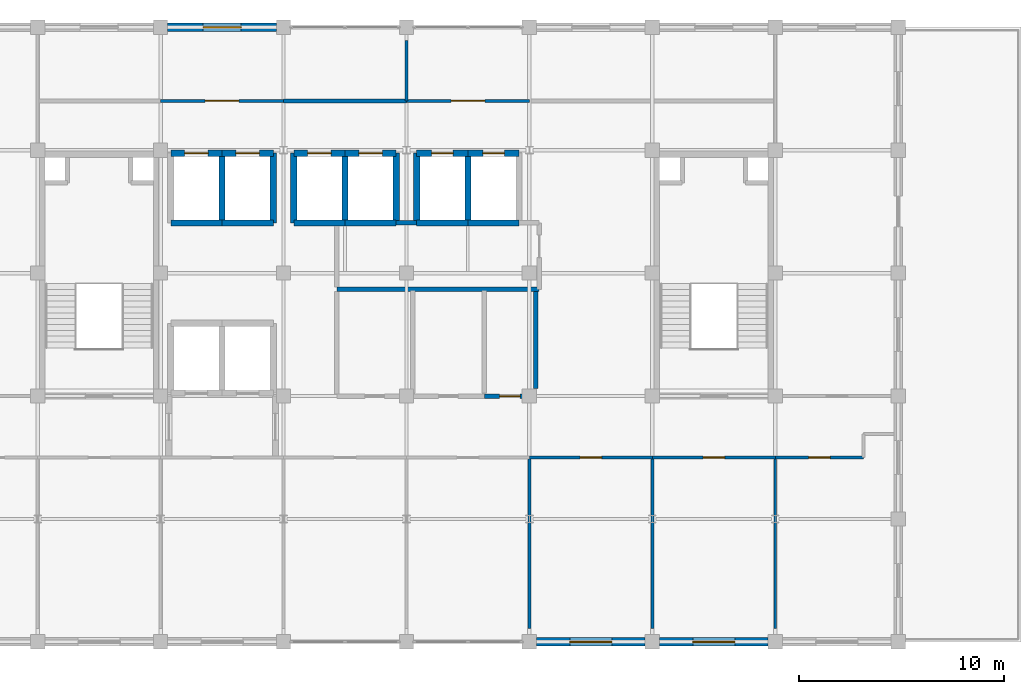
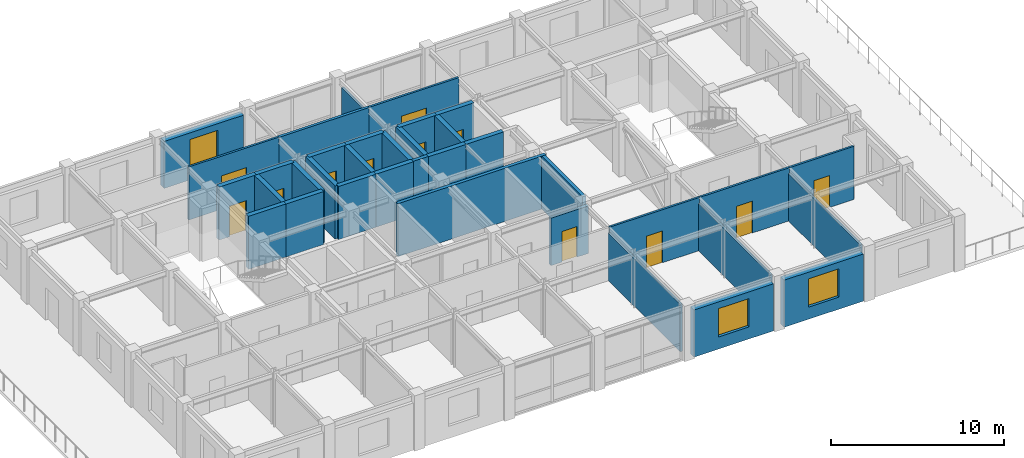
# One storey, part 13 of 15: 36 walls, 12 doors, 3 windows, 15 openings.
"""IFC4 building model written with IfcOpenShell, lengths in metres."""

from ifc_helpers import new_model, si_unit, direction, frame, frame_2d, origin, place, context, subcontext, project, spatial, rectangle, extrude, material, layer, layer_set, type_object, element, fill, save


model = new_model("IFC4")

# Units and contexts
model_context = context("Model", 3, precision=1e-05, world=origin(), true_north=direction((0.0, 1.0)))
body_context = subcontext(model_context, "Body", "Model", "MODEL_VIEW")
ifc_project = project(units=[si_unit("LENGTHUNIT", "METRE"), si_unit("AREAUNIT", "SQUARE_METRE"), si_unit("VOLUMEUNIT", "CUBIC_METRE"), si_unit("PLANEANGLEUNIT", "RADIAN"), si_unit("MASSUNIT", "GRAM", prefix="KILO")], contexts=[model_context])

# Site, building, storey
site_placement = place(None, origin())
site = spatial("IfcSite", under=ifc_project, at=site_placement, CompositionType="ELEMENT")
building_placement = place(site_placement, origin())
building = spatial("IfcBuilding", under=site, at=building_placement, Name="Zlatovratsky Civic Hall", CompositionType="ELEMENT")
storey_placement = place(building_placement, frame((0.0, 0.0, 36.60009765625)))
storey = spatial("IfcBuildingStorey", under=building, at=storey_placement, Name="L09", CompositionType="ELEMENT", Elevation=36.60009765625)

# Wall
ifc_material_1 = material(Name="Acoustic ceramic blockwork", Category="masonry")
ifc_layer_1 = layer(ifc_material_1, 0.179931640625)
ifc_layer_set_1 = layer_set([ifc_layer_1], Name="Acoustic ceramic blockwork")
wall_type_1 = type_object("IfcWallType", Name="Wall_AcousticChamberPartition_180", PredefinedType="PARTITIONING", material=ifc_layer_set_1)
wall_1_placement = place(storey_placement, frame((78.0, 98.39990234375, 0.0), z_axis=(0.0, 0.0, 1.0), x_axis=(1.0, 0.0, 0.0)))
element("IfcWall", 1, at=wall_1_placement, inside=storey, type_object=wall_type_1, Name="WL-6476", PredefinedType="PARTITIONING", context=body_context, shape_type="SweptSolid", body=[
    extrude(rectangle(XDim=6.0, YDim=0.179931640625, at=frame_2d((3.0, 0.0))), origin(), (0.0, 0.0, 1.0), 3.739990234375),
])

# Wall, opening, door
ifc_material_2 = material(Name="Fire-rated gypsum board framing", Category="gypsum")
ifc_layer_2 = layer(ifc_material_2, 0.139892578125)
ifc_layer_set_2 = layer_set([ifc_layer_2], Name="Fire-rated gypsum board framing")
wall_type_2 = type_object("IfcWallType", Name="Wall_OfficePartition_140", PredefinedType="PARTITIONING", material=ifc_layer_set_2)
wall_2_placement = place(storey_placement, frame((90.0, 81.0, 0.0), z_axis=(0.0, 0.0, 1.0), x_axis=(1.0, 0.0, 0.0)))
wall_2 = element("IfcWall", 2, at=wall_2_placement, inside=storey, type_object=wall_type_2, Name="WL-6451", PredefinedType="PARTITIONING", context=body_context, shape_type="SweptSolid", body=[
    extrude(rectangle(XDim=6.0, YDim=0.139892578125, at=frame_2d((3.0, 0.0))), origin(), (0.0, 0.0, 1.0), 3.739990234375),
])
opening_1_placement = place(wall_2_placement, frame((2.47509765625, 0.0, 0.0)))
opening_1 = element("IfcOpeningElement", 3, at=opening_1_placement, cuts=wall_2, Name="Opening D-24", PredefinedType="OPENING", context=body_context, shape_type="SweptSolid", body=[
    extrude(rectangle(XDim=1.050048828125, YDim=2.25, at=frame_2d((0.52490234375, 1.125))), frame((0.0, 0.0849609375, 0.0), z_axis=(0.0, -1.0, 0.0), x_axis=(1.0, 0.0, 0.0)), (0.0, 0.0, 1.0), 0.169677734375),
])
ifc_material_3 = material(Name="Solid oak joinery in steel frame", Category="steel")
door_type_1 = type_object("IfcDoorType", Name="Door_DirectorateOffice_1050x2250", OperationType="NOTDEFINED", PredefinedType="DOOR", material=ifc_material_3)
door_1_placement = place(opening_1_placement, origin())
door_1 = element("IfcDoor", 4, at=door_1_placement, inside=storey, type_object=door_type_1, Name="DR-5425", OperationType="SINGLE_SWING_RIGHT", OverallHeight=2.25, OverallWidth=1.050048828125, PredefinedType="DOOR", context=body_context, shape_type="SweptSolid", body=[
    extrude(rectangle(XDim=1.050048828125, YDim=2.25, at=frame_2d((0.52490234375, 1.125))), frame((0.0, 0.02490234375, 0.0), z_axis=(0.0, -1.0, 0.0), x_axis=(1.0, 0.0, 0.0)), (0.0, 0.0, 1.0), 0.050048828125),
])
fill(opening_1, door_1)

wall_3_placement = place(storey_placement, frame((96.0, 81.0, 0.0), z_axis=(0.0, 0.0, 1.0), x_axis=(1.0, 0.0, 0.0)))
wall_3 = element("IfcWall", 5, at=wall_3_placement, inside=storey, type_object=wall_type_2, Name="WL-6452", PredefinedType="PARTITIONING", context=body_context, shape_type="SweptSolid", body=[
    extrude(rectangle(XDim=6.0, YDim=0.139892578125, at=frame_2d((3.0, 0.0))), origin(), (0.0, 0.0, 1.0), 3.739990234375),
])
opening_2_placement = place(wall_3_placement, frame((2.47509765625, 0.0, 0.0)))
opening_2 = element("IfcOpeningElement", 6, at=opening_2_placement, cuts=wall_3, Name="Opening D-24", PredefinedType="OPENING", context=body_context, shape_type="SweptSolid", body=[
    extrude(rectangle(XDim=1.050048828125, YDim=2.25, at=frame_2d((0.52490234375, 1.125))), frame((0.0, 0.0849609375, 0.0), z_axis=(0.0, -1.0, 0.0), x_axis=(1.0, 0.0, 0.0)), (0.0, 0.0, 1.0), 0.169677734375),
])
door_2_placement = place(opening_2_placement, origin())
door_2 = element("IfcDoor", 7, at=door_2_placement, inside=storey, type_object=door_type_1, Name="DR-5426", OperationType="SINGLE_SWING_RIGHT", OverallHeight=2.25, OverallWidth=1.050048828125, PredefinedType="DOOR", context=body_context, shape_type="SweptSolid", body=[
    extrude(rectangle(XDim=1.050048828125, YDim=2.25, at=frame_2d((0.52490234375, 1.125))), frame((0.0, 0.02490234375, 0.0), z_axis=(0.0, -1.0, 0.0), x_axis=(1.0, 0.0, 0.0)), (0.0, 0.0, 1.0), 0.050048828125),
])
fill(opening_2, door_2)

wall_4_placement = place(storey_placement, frame((102.0, 81.0, 0.0), z_axis=(0.0, 0.0, 1.0), x_axis=(1.0, 0.0, 0.0)))
wall_4 = element("IfcWall", 8, at=wall_4_placement, inside=storey, type_object=wall_type_2, Name="WL-6453", PredefinedType="PARTITIONING", context=body_context, shape_type="SweptSolid", body=[
    extrude(rectangle(XDim=4.300048828125, YDim=0.139892578125, at=frame_2d((2.14990234375, 0.0))), origin(), (0.0, 0.0, 1.0), 3.739990234375),
])
opening_3_placement = place(wall_4_placement, frame((1.625, 0.0, 0.0)))
opening_3 = element("IfcOpeningElement", 9, at=opening_3_placement, cuts=wall_4, Name="Opening D-24", PredefinedType="OPENING", context=body_context, shape_type="SweptSolid", body=[
    extrude(rectangle(XDim=1.050048828125, YDim=2.25, at=frame_2d((0.52490234375, 1.125))), frame((0.0, 0.0849609375, 0.0), z_axis=(0.0, -1.0, 0.0), x_axis=(1.0, 0.0, 0.0)), (0.0, 0.0, 1.0), 0.169677734375),
])
door_3_placement = place(opening_3_placement, origin())
door_3 = element("IfcDoor", 10, at=door_3_placement, inside=storey, type_object=door_type_1, Name="DR-5427", OperationType="SINGLE_SWING_RIGHT", OverallHeight=2.25, OverallWidth=1.050048828125, PredefinedType="DOOR", context=body_context, shape_type="SweptSolid", body=[
    extrude(rectangle(XDim=1.050048828125, YDim=2.25, at=frame_2d((0.52490234375, 1.125))), frame((0.0, 0.02490234375, 0.0), z_axis=(0.0, -1.0, 0.0), x_axis=(1.0, 0.0, 0.0)), (0.0, 0.0, 1.0), 0.050048828125),
])
fill(opening_3, door_3)

wall_5_placement = place(storey_placement, frame((72.0, 98.39990234375, 0.0), z_axis=(0.0, 0.0, 1.0), x_axis=(1.0, 0.0, 0.0)))
wall_5 = element("IfcWall", 11, at=wall_5_placement, inside=storey, type_object=wall_type_2, Name="WL-6456", PredefinedType="PARTITIONING", context=body_context, shape_type="SweptSolid", body=[
    extrude(rectangle(XDim=6.0, YDim=0.139892578125, at=frame_2d((3.0, 0.0))), origin(), (0.0, 0.0, 1.0), 3.739990234375),
])
opening_4_placement = place(wall_5_placement, frame((2.175048828125, 0.0, 0.0)))
opening_4 = element("IfcOpeningElement", 12, at=opening_4_placement, cuts=wall_5, Name="Opening D-25", PredefinedType="OPENING", context=body_context, shape_type="SweptSolid", body=[
    extrude(rectangle(XDim=1.64990234375, YDim=2.35009765625, at=frame_2d((0.824951171875, 1.175048828125))), frame((0.0, 0.0849609375, 0.0), z_axis=(0.0, -1.0, 0.0), x_axis=(1.0, 0.0, 0.0)), (0.0, 0.0, 1.0), 0.169677734375),
])
door_type_2 = type_object("IfcDoorType", Name="Door_OpenStudioDouble_1650x2350", OperationType="DOUBLE_DOOR_SINGLE_SWING", PredefinedType="DOOR", material=ifc_material_3)
door_4_placement = place(opening_4_placement, origin())
door_4 = element("IfcDoor", 13, at=door_4_placement, inside=storey, type_object=door_type_2, Name="DR-5430", OperationType="DOUBLE_DOOR_SINGLE_SWING", OverallHeight=2.35009765625, OverallWidth=1.64990234375, PredefinedType="DOOR", context=body_context, shape_type="SweptSolid", body=[
    extrude(rectangle(XDim=1.64990234375, YDim=2.35009765625, at=frame_2d((0.824951171875, 1.175048828125))), frame((0.0, 0.02490234375, 0.0), z_axis=(0.0, -1.0, 0.0), x_axis=(1.0, 0.0, 0.0)), (0.0, 0.0, 1.0), 0.050048828125),
])
fill(opening_4, door_4)

wall_6_placement = place(storey_placement, frame((84.0, 98.39990234375, 0.0), z_axis=(0.0, 0.0, 1.0), x_axis=(1.0, 0.0, 0.0)))
wall_6 = element("IfcWall", 14, at=wall_6_placement, inside=storey, type_object=wall_type_2, Name="WL-6457", PredefinedType="PARTITIONING", context=body_context, shape_type="SweptSolid", body=[
    extrude(rectangle(XDim=6.0, YDim=0.139892578125, at=frame_2d((3.0, 0.0))), origin(), (0.0, 0.0, 1.0), 3.739990234375),
])
opening_5_placement = place(wall_6_placement, frame((2.175048828125, 0.0, 0.0)))
opening_5 = element("IfcOpeningElement", 15, at=opening_5_placement, cuts=wall_6, Name="Opening D-25", PredefinedType="OPENING", context=body_context, shape_type="SweptSolid", body=[
    extrude(rectangle(XDim=1.64990234375, YDim=2.35009765625, at=frame_2d((0.824951171875, 1.175048828125))), frame((0.0, 0.0849609375, 0.0), z_axis=(0.0, -1.0, 0.0), x_axis=(1.0, 0.0, 0.0)), (0.0, 0.0, 1.0), 0.169677734375),
])
door_5_placement = place(opening_5_placement, origin())
door_5 = element("IfcDoor", 16, at=door_5_placement, inside=storey, type_object=door_type_2, Name="DR-5431", OperationType="DOUBLE_DOOR_SINGLE_SWING", OverallHeight=2.35009765625, OverallWidth=1.64990234375, PredefinedType="DOOR", context=body_context, shape_type="SweptSolid", body=[
    extrude(rectangle(XDim=1.64990234375, YDim=2.35009765625, at=frame_2d((0.824951171875, 1.175048828125))), frame((0.0, 0.02490234375, 0.0), z_axis=(0.0, -1.0, 0.0), x_axis=(1.0, 0.0, 0.0)), (0.0, 0.0, 1.0), 0.050048828125),
])
fill(opening_5, door_5)

# Walls
for number, where, z_axis, x_axis, name in (
    (17, (90.0, 72.64990234375, 0.0), (0.0, 0.0, 1.0), (0.0, 1.0, 0.0), "WL-6462"),
    (18, (96.0, 72.64990234375, 0.0), (0.0, 0.0, 1.0), (0.0, 1.0, 0.0), "WL-6463"),
    (19, (102.0, 72.64990234375, 0.0), (0.0, 0.0, 1.0), (0.0, 1.0, 0.0), "WL-6464"),
):
    element("IfcWall", number, at=place(storey_placement, frame(where, z_axis=z_axis, x_axis=x_axis)), inside=storey, type_object=wall_type_2, Name=name, PredefinedType="PARTITIONING", context=body_context, shape_type="SweptSolid", body=[
        extrude(rectangle(XDim=8.35009765625, YDim=0.139892578125, at=frame_2d((4.175048828125, 0.0))), origin(), (0.0, 0.0, 1.0), 3.347900390625),
    ])
wall_7_placement = place(storey_placement, frame((84.0, 98.39990234375, 0.0), z_axis=(0.0, 0.0, 1.0), x_axis=(0.0, 1.0, 0.0)))
element("IfcWall", 20, at=wall_7_placement, inside=storey, type_object=wall_type_2, Name="WL-6465", PredefinedType="PARTITIONING", context=body_context, shape_type="SweptSolid", body=[
    extrude(rectangle(XDim=2.9501953125, YDim=0.139892578125, at=frame_2d((1.47509765625, 0.0))), origin(), (0.0, 0.0, 1.0), 3.347900390625),
])

# Wall, opening, door
ifc_layer_3 = layer(ifc_material_1, 0.219970703125)
ifc_layer_set_3 = layer_set([ifc_layer_3], Name="Acoustic ceramic blockwork")
wall_type_3 = type_object("IfcWallType", Name="Wall_SanitaryWetCore_220", PredefinedType="PARTITIONING", material=ifc_layer_set_3)
wall_8_placement = place(storey_placement, frame((87.800048828125, 84.0, 0.0), z_axis=(0.0, 0.0, 1.0), x_axis=(1.0, 0.0, 0.0)))
wall_8 = element("IfcWall", 21, at=wall_8_placement, inside=storey, type_object=wall_type_3, Name="WL-6441", PredefinedType="PARTITIONING", context=body_context, shape_type="SweptSolid", body=[
    extrude(rectangle(XDim=2.5, YDim=0.219970703125, at=frame_2d((1.25, 0.0))), origin(), (0.0, 0.0, 1.0), 3.347900390625),
])
opening_6_placement = place(wall_8_placement, frame((0.75, 0.0, 0.0)))
opening_6 = element("IfcOpeningElement", 22, at=opening_6_placement, cuts=wall_8, Name="Opening D-20", PredefinedType="OPENING", context=body_context, shape_type="SweptSolid", body=[
    extrude(rectangle(XDim=1.0, YDim=2.14990234375, at=frame_2d((0.5, 1.074951171875))), frame((0.0, 0.125, 0.0), z_axis=(0.0, -1.0, 0.0), x_axis=(1.0, 0.0, 0.0)), (0.0, 0.0, 1.0), 0.249755859375),
])
door_type_3 = type_object("IfcDoorType", Name="Door_AccessibleWC_1000x2150", OperationType="NOTDEFINED", PredefinedType="DOOR", material=ifc_material_3)
door_6_placement = place(opening_6_placement, origin())
door_6 = element("IfcDoor", 23, at=door_6_placement, inside=storey, type_object=door_type_3, Name="DR-5418", OperationType="SINGLE_SWING_LEFT", OverallHeight=2.14990234375, OverallWidth=1.0, PredefinedType="DOOR", context=body_context, shape_type="SweptSolid", body=[
    extrude(rectangle(XDim=1.0, YDim=2.14990234375, at=frame_2d((0.5, 1.074951171875))), frame((0.0, 0.02490234375, 0.0), z_axis=(0.0, -1.0, 0.0), x_axis=(1.0, 0.0, 0.0)), (0.0, 0.0, 1.0), 0.050048828125),
])
fill(opening_6, door_6)

# Walls
wall_9_placement = place(storey_placement, frame((80.60009765625, 89.199951171875, 0.0), z_axis=(0.0, 0.0, 1.0), x_axis=(1.0, 0.0, 0.0)))
element("IfcWall", 24, at=wall_9_placement, inside=storey, type_object=wall_type_3, Name="WL-6444", PredefinedType="PARTITIONING", context=body_context, shape_type="SweptSolid", body=[
    extrude(rectangle(XDim=9.869873046875, YDim=0.219970703125, at=frame_2d((4.93505859375, 0.0))), origin(), (0.0, 0.0, 1.0), 3.739990234375),
])
wall_10_placement = place(storey_placement, frame((90.300048828125, 84.360107421875, 0.0), z_axis=(0.0, 0.0, 1.0), x_axis=(0.0, 1.0, 0.0)))
element("IfcWall", 25, at=wall_10_placement, inside=storey, type_object=wall_type_3, Name="WL-6467", PredefinedType="PARTITIONING", context=body_context, shape_type="SweptSolid", body=[
    extrude(rectangle(XDim=4.72998046875, YDim=0.219970703125, at=frame_2d((2.364990234375, 0.0))), origin(), (0.0, 0.0, 1.0), 3.739990234375),
])
wall_11_placement = place(storey_placement, frame((83.5, 92.449951171875, 0.0), z_axis=(0.0, 0.0, 1.0), x_axis=(1.0, 0.0, 0.0)))
element("IfcWall", 26, at=wall_11_placement, inside=storey, type_object=wall_type_3, Name="WL-6469", PredefinedType="PARTITIONING", context=body_context, shape_type="SweptSolid", body=[
    extrude(rectangle(XDim=1.0, YDim=0.219970703125, at=frame_2d((0.5, 0.0))), origin(), (0.0, 0.0, 1.0), 3.739990234375),
])

# Wall, opening, door
ifc_material_4 = material(Name="Concrete C35/45 (B40)", Category="concrete")
ifc_layer_4 = layer(ifc_material_4, 0.300048828125)
ifc_layer_set_4 = layer_set([ifc_layer_4], Name="Concrete C35/45 (B40)")
wall_type_4 = type_object("IfcWallType", Name="Wall_StairAndLiftShaft_300", PredefinedType="SHEAR", material=ifc_layer_set_4)
wall_12_placement = place(storey_placement, frame((72.5, 95.85009765625, 0.0), z_axis=(0.0, 0.0, 1.0), x_axis=(1.0, 0.0, 0.0)))
wall_12 = element("IfcWall", 27, at=wall_12_placement, inside=storey, type_object=wall_type_4, Name="WL-5653", PredefinedType="SHEAR", context=body_context, shape_type="SweptSolid", body=[
    extrude(rectangle(XDim=2.5, YDim=0.300048828125, at=frame_2d((1.25, 0.0))), origin(), (0.0, 0.0, 1.0), 3.739990234375),
])
opening_7_placement = place(wall_12_placement, frame((0.675048828125, 0.0, 0.0)))
opening_7 = element("IfcOpeningElement", 28, at=opening_7_placement, cuts=wall_12, Name="Opening LD-02", PredefinedType="OPENING", context=body_context, shape_type="SweptSolid", body=[
    extrude(rectangle(XDim=1.14990234375, YDim=2.14990234375, at=frame_2d((0.574951171875, 1.074951171875))), frame((0.0, 0.1650390625, 0.0), z_axis=(0.0, -1.0, 0.0), x_axis=(1.0, 0.0, 0.0)), (0.0, 0.0, 1.0), 0.329833984375),
])
ifc_material_5 = material(Name="Brushed stainless steel AISI 304", Category="steel")
door_type_4 = type_object("IfcDoorType", Name="Door_LiftLandingHighRise_1150x2150", OperationType="DOUBLE_DOOR_SLIDING", PredefinedType="DOOR", material=ifc_material_5)
door_7_placement = place(opening_7_placement, origin())
door_7 = element("IfcDoor", 29, at=door_7_placement, inside=storey, type_object=door_type_4, Name="Lift landing door LD-5106", OperationType="DOUBLE_DOOR_SLIDING", OverallHeight=2.14990234375, OverallWidth=1.14990234375, PredefinedType="DOOR", context=body_context, shape_type="SweptSolid", body=[
    extrude(rectangle(XDim=1.14990234375, YDim=2.14990234375, at=frame_2d((0.574951171875, 1.074951171875))), frame((0.0, 0.02490234375, 0.0), z_axis=(0.0, -1.0, 0.0), x_axis=(1.0, 0.0, 0.0)), (0.0, 0.0, 1.0), 0.050048828125),
])
fill(opening_7, door_7)

# Wall
wall_13_placement = place(storey_placement, frame((72.5, 92.449951171875, 0.0), z_axis=(0.0, 0.0, 1.0), x_axis=(1.0, 0.0, 0.0)))
element("IfcWall", 30, at=wall_13_placement, inside=storey, type_object=wall_type_4, Name="WL-5654", PredefinedType="SHEAR", context=body_context, shape_type="SweptSolid", body=[
    extrude(rectangle(XDim=2.5, YDim=0.300048828125, at=frame_2d((1.25, 0.0))), origin(), (0.0, 0.0, 1.0), 3.739990234375),
])

# Wall, opening, door
wall_14_placement = place(storey_placement, frame((75.0, 95.85009765625, 0.0), z_axis=(0.0, 0.0, 1.0), x_axis=(1.0, 0.0, 0.0)))
wall_14 = element("IfcWall", 31, at=wall_14_placement, inside=storey, type_object=wall_type_4, Name="WL-5719", PredefinedType="SHEAR", context=body_context, shape_type="SweptSolid", body=[
    extrude(rectangle(XDim=2.5, YDim=0.300048828125, at=frame_2d((1.25, 0.0))), origin(), (0.0, 0.0, 1.0), 3.739990234375),
])
opening_8_placement = place(wall_14_placement, frame((0.675048828125, 0.0, 0.0)))
opening_8 = element("IfcOpeningElement", 32, at=opening_8_placement, cuts=wall_14, Name="Opening LD-02", PredefinedType="OPENING", context=body_context, shape_type="SweptSolid", body=[
    extrude(rectangle(XDim=1.14990234375, YDim=2.14990234375, at=frame_2d((0.574951171875, 1.074951171875))), frame((0.0, 0.1650390625, 0.0), z_axis=(0.0, -1.0, 0.0), x_axis=(1.0, 0.0, 0.0)), (0.0, 0.0, 1.0), 0.329833984375),
])
door_8_placement = place(opening_8_placement, origin())
door_8 = element("IfcDoor", 33, at=door_8_placement, inside=storey, type_object=door_type_4, Name="Lift landing door LD-5125", OperationType="DOUBLE_DOOR_SLIDING", OverallHeight=2.14990234375, OverallWidth=1.14990234375, PredefinedType="DOOR", context=body_context, shape_type="SweptSolid", body=[
    extrude(rectangle(XDim=1.14990234375, YDim=2.14990234375, at=frame_2d((0.574951171875, 1.074951171875))), frame((0.0, 0.02490234375, 0.0), z_axis=(0.0, -1.0, 0.0), x_axis=(1.0, 0.0, 0.0)), (0.0, 0.0, 1.0), 0.050048828125),
])
fill(opening_8, door_8)

# Walls
wall_15_placement = place(storey_placement, frame((75.0, 92.449951171875, 0.0), z_axis=(0.0, 0.0, 1.0), x_axis=(1.0, 0.0, 0.0)))
element("IfcWall", 34, at=wall_15_placement, inside=storey, type_object=wall_type_4, Name="WL-5720", PredefinedType="SHEAR", context=body_context, shape_type="SweptSolid", body=[
    extrude(rectangle(XDim=2.5, YDim=0.300048828125, at=frame_2d((1.25, 0.0))), origin(), (0.0, 0.0, 1.0), 3.739990234375),
])
for number, where, z_axis, x_axis, name in (
    (35, (75.0, 92.449951171875, 0.0), (0.0, 0.0, 1.0), (0.0, 1.0, 0.0), "WL-5721"),
    (36, (77.5, 92.449951171875, 0.0), (0.0, 0.0, 1.0), (0.0, 1.0, 0.0), "WL-5722"),
):
    element("IfcWall", number, at=place(storey_placement, frame(where, z_axis=z_axis, x_axis=x_axis)), inside=storey, type_object=wall_type_4, Name=name, PredefinedType="SHEAR", context=body_context, shape_type="SweptSolid", body=[
        extrude(rectangle(XDim=3.400146484375, YDim=0.300048828125, at=frame_2d((1.7001953125, 0.0))), origin(), (0.0, 0.0, 1.0), 3.739990234375),
    ])

# Wall, opening, door
wall_16_placement = place(storey_placement, frame((78.5, 95.85009765625, 0.0), z_axis=(0.0, 0.0, 1.0), x_axis=(1.0, 0.0, 0.0)))
wall_16 = element("IfcWall", 37, at=wall_16_placement, inside=storey, type_object=wall_type_4, Name="WL-5786", PredefinedType="SHEAR", context=body_context, shape_type="SweptSolid", body=[
    extrude(rectangle(XDim=2.5, YDim=0.300048828125, at=frame_2d((1.25, 0.0))), origin(), (0.0, 0.0, 1.0), 3.739990234375),
])
opening_9_placement = place(wall_16_placement, frame((0.675048828125, 0.0, 0.0)))
opening_9 = element("IfcOpeningElement", 38, at=opening_9_placement, cuts=wall_16, Name="Opening LD-02", PredefinedType="OPENING", context=body_context, shape_type="SweptSolid", body=[
    extrude(rectangle(XDim=1.14990234375, YDim=2.14990234375, at=frame_2d((0.574951171875, 1.074951171875))), frame((0.0, 0.1650390625, 0.0), z_axis=(0.0, -1.0, 0.0), x_axis=(1.0, 0.0, 0.0)), (0.0, 0.0, 1.0), 0.329833984375),
])
door_9_placement = place(opening_9_placement, origin())
door_9 = element("IfcDoor", 39, at=door_9_placement, inside=storey, type_object=door_type_4, Name="Lift landing door LD-5144", OperationType="DOUBLE_DOOR_SLIDING", OverallHeight=2.14990234375, OverallWidth=1.14990234375, PredefinedType="DOOR", context=body_context, shape_type="SweptSolid", body=[
    extrude(rectangle(XDim=1.14990234375, YDim=2.14990234375, at=frame_2d((0.574951171875, 1.074951171875))), frame((0.0, 0.02490234375, 0.0), z_axis=(0.0, -1.0, 0.0), x_axis=(1.0, 0.0, 0.0)), (0.0, 0.0, 1.0), 0.050048828125),
])
fill(opening_9, door_9)

# Walls
wall_17_placement = place(storey_placement, frame((78.5, 92.449951171875, 0.0), z_axis=(0.0, 0.0, 1.0), x_axis=(1.0, 0.0, 0.0)))
element("IfcWall", 40, at=wall_17_placement, inside=storey, type_object=wall_type_4, Name="WL-5787", PredefinedType="SHEAR", context=body_context, shape_type="SweptSolid", body=[
    extrude(rectangle(XDim=2.5, YDim=0.300048828125, at=frame_2d((1.25, 0.0))), origin(), (0.0, 0.0, 1.0), 3.739990234375),
])
wall_18_placement = place(storey_placement, frame((78.5, 92.449951171875, 0.0), z_axis=(0.0, 0.0, 1.0), x_axis=(0.0, 1.0, 0.0)))
element("IfcWall", 41, at=wall_18_placement, inside=storey, type_object=wall_type_4, Name="WL-5788", PredefinedType="SHEAR", context=body_context, shape_type="SweptSolid", body=[
    extrude(rectangle(XDim=3.400146484375, YDim=0.300048828125, at=frame_2d((1.7001953125, 0.0))), origin(), (0.0, 0.0, 1.0), 3.739990234375),
])

# Wall, opening, door
wall_19_placement = place(storey_placement, frame((81.0, 95.85009765625, 0.0), z_axis=(0.0, 0.0, 1.0), x_axis=(1.0, 0.0, 0.0)))
wall_19 = element("IfcWall", 42, at=wall_19_placement, inside=storey, type_object=wall_type_4, Name="WL-5852", PredefinedType="SHEAR", context=body_context, shape_type="SweptSolid", body=[
    extrude(rectangle(XDim=2.5, YDim=0.300048828125, at=frame_2d((1.25, 0.0))), origin(), (0.0, 0.0, 1.0), 3.739990234375),
])
opening_10_placement = place(wall_19_placement, frame((0.675048828125, 0.0, 0.0)))
opening_10 = element("IfcOpeningElement", 43, at=opening_10_placement, cuts=wall_19, Name="Opening LD-02", PredefinedType="OPENING", context=body_context, shape_type="SweptSolid", body=[
    extrude(rectangle(XDim=1.14990234375, YDim=2.14990234375, at=frame_2d((0.574951171875, 1.074951171875))), frame((0.0, 0.1650390625, 0.0), z_axis=(0.0, -1.0, 0.0), x_axis=(1.0, 0.0, 0.0)), (0.0, 0.0, 1.0), 0.329833984375),
])
door_10_placement = place(opening_10_placement, origin())
door_10 = element("IfcDoor", 44, at=door_10_placement, inside=storey, type_object=door_type_4, Name="Lift landing door LD-5163", OperationType="DOUBLE_DOOR_SLIDING", OverallHeight=2.14990234375, OverallWidth=1.14990234375, PredefinedType="DOOR", context=body_context, shape_type="SweptSolid", body=[
    extrude(rectangle(XDim=1.14990234375, YDim=2.14990234375, at=frame_2d((0.574951171875, 1.074951171875))), frame((0.0, 0.02490234375, 0.0), z_axis=(0.0, -1.0, 0.0), x_axis=(1.0, 0.0, 0.0)), (0.0, 0.0, 1.0), 0.050048828125),
])
fill(opening_10, door_10)

# Walls
wall_20_placement = place(storey_placement, frame((81.0, 92.449951171875, 0.0), z_axis=(0.0, 0.0, 1.0), x_axis=(1.0, 0.0, 0.0)))
element("IfcWall", 45, at=wall_20_placement, inside=storey, type_object=wall_type_4, Name="WL-5853", PredefinedType="SHEAR", context=body_context, shape_type="SweptSolid", body=[
    extrude(rectangle(XDim=2.5, YDim=0.300048828125, at=frame_2d((1.25, 0.0))), origin(), (0.0, 0.0, 1.0), 3.739990234375),
])
for number, where, z_axis, x_axis, name in (
    (46, (81.0, 92.449951171875, 0.0), (0.0, 0.0, 1.0), (0.0, 1.0, 0.0), "WL-5854"),
    (47, (83.5, 92.449951171875, 0.0), (0.0, 0.0, 1.0), (0.0, 1.0, 0.0), "WL-5855"),
):
    element("IfcWall", number, at=place(storey_placement, frame(where, z_axis=z_axis, x_axis=x_axis)), inside=storey, type_object=wall_type_4, Name=name, PredefinedType="SHEAR", context=body_context, shape_type="SweptSolid", body=[
        extrude(rectangle(XDim=3.400146484375, YDim=0.300048828125, at=frame_2d((1.7001953125, 0.0))), origin(), (0.0, 0.0, 1.0), 3.739990234375),
    ])

# Wall, opening, door
wall_21_placement = place(storey_placement, frame((84.5, 95.85009765625, 0.0), z_axis=(0.0, 0.0, 1.0), x_axis=(1.0, 0.0, 0.0)))
wall_21 = element("IfcWall", 48, at=wall_21_placement, inside=storey, type_object=wall_type_4, Name="WL-5919", PredefinedType="SHEAR", context=body_context, shape_type="SweptSolid", body=[
    extrude(rectangle(XDim=2.5, YDim=0.300048828125, at=frame_2d((1.25, 0.0))), origin(), (0.0, 0.0, 1.0), 3.739990234375),
])
opening_11_placement = place(wall_21_placement, frame((0.72509765625, 0.0, 0.0)))
opening_11 = element("IfcOpeningElement", 49, at=opening_11_placement, cuts=wall_21, Name="Opening LD-03", PredefinedType="OPENING", context=body_context, shape_type="SweptSolid", body=[
    extrude(rectangle(XDim=1.050048828125, YDim=2.10009765625, at=frame_2d((0.52490234375, 1.050048828125))), frame((0.0, 0.1650390625, 0.0), z_axis=(0.0, -1.0, 0.0), x_axis=(1.0, 0.0, 0.0)), (0.0, 0.0, 1.0), 0.329833984375),
])
door_type_5 = type_object("IfcDoorType", Name="Door_LiftLandingMidRise_1050x2100", OperationType="DOUBLE_DOOR_SLIDING", PredefinedType="DOOR", material=ifc_material_5)
door_11_placement = place(opening_11_placement, origin())
door_11 = element("IfcDoor", 50, at=door_11_placement, inside=storey, type_object=door_type_5, Name="Lift landing door LD-5182", OperationType="DOUBLE_DOOR_SLIDING", OverallHeight=2.10009765625, OverallWidth=1.050048828125, PredefinedType="DOOR", context=body_context, shape_type="SweptSolid", body=[
    extrude(rectangle(XDim=1.050048828125, YDim=2.10009765625, at=frame_2d((0.52490234375, 1.050048828125))), frame((0.0, 0.02490234375, 0.0), z_axis=(0.0, -1.0, 0.0), x_axis=(1.0, 0.0, 0.0)), (0.0, 0.0, 1.0), 0.050048828125),
])
fill(opening_11, door_11)

# Walls
wall_22_placement = place(storey_placement, frame((84.5, 92.449951171875, 0.0), z_axis=(0.0, 0.0, 1.0), x_axis=(1.0, 0.0, 0.0)))
element("IfcWall", 51, at=wall_22_placement, inside=storey, type_object=wall_type_4, Name="WL-5920", PredefinedType="SHEAR", context=body_context, shape_type="SweptSolid", body=[
    extrude(rectangle(XDim=2.5, YDim=0.300048828125, at=frame_2d((1.25, 0.0))), origin(), (0.0, 0.0, 1.0), 3.739990234375),
])
wall_23_placement = place(storey_placement, frame((84.5, 92.449951171875, 0.0), z_axis=(0.0, 0.0, 1.0), x_axis=(0.0, 1.0, 0.0)))
element("IfcWall", 52, at=wall_23_placement, inside=storey, type_object=wall_type_4, Name="WL-5921", PredefinedType="SHEAR", context=body_context, shape_type="SweptSolid", body=[
    extrude(rectangle(XDim=3.400146484375, YDim=0.300048828125, at=frame_2d((1.7001953125, 0.0))), origin(), (0.0, 0.0, 1.0), 3.739990234375),
])

# Wall, opening, door
wall_24_placement = place(storey_placement, frame((87.0, 95.85009765625, 0.0), z_axis=(0.0, 0.0, 1.0), x_axis=(1.0, 0.0, 0.0)))
wall_24 = element("IfcWall", 53, at=wall_24_placement, inside=storey, type_object=wall_type_4, Name="WL-5961", PredefinedType="SHEAR", context=body_context, shape_type="SweptSolid", body=[
    extrude(rectangle(XDim=2.5, YDim=0.300048828125, at=frame_2d((1.25, 0.0))), origin(), (0.0, 0.0, 1.0), 3.739990234375),
])
opening_12_placement = place(wall_24_placement, frame((0.72509765625, 0.0, 0.0)))
opening_12 = element("IfcOpeningElement", 54, at=opening_12_placement, cuts=wall_24, Name="Opening LD-03", PredefinedType="OPENING", context=body_context, shape_type="SweptSolid", body=[
    extrude(rectangle(XDim=1.050048828125, YDim=2.10009765625, at=frame_2d((0.52490234375, 1.050048828125))), frame((0.0, 0.1650390625, 0.0), z_axis=(0.0, -1.0, 0.0), x_axis=(1.0, 0.0, 0.0)), (0.0, 0.0, 1.0), 0.329833984375),
])
door_12_placement = place(opening_12_placement, origin())
door_12 = element("IfcDoor", 55, at=door_12_placement, inside=storey, type_object=door_type_5, Name="Lift landing door LD-5193", OperationType="DOUBLE_DOOR_SLIDING", OverallHeight=2.10009765625, OverallWidth=1.050048828125, PredefinedType="DOOR", context=body_context, shape_type="SweptSolid", body=[
    extrude(rectangle(XDim=1.050048828125, YDim=2.10009765625, at=frame_2d((0.52490234375, 1.050048828125))), frame((0.0, 0.02490234375, 0.0), z_axis=(0.0, -1.0, 0.0), x_axis=(1.0, 0.0, 0.0)), (0.0, 0.0, 1.0), 0.050048828125),
])
fill(opening_12, door_12)

# Walls
wall_25_placement = place(storey_placement, frame((87.0, 92.449951171875, 0.0), z_axis=(0.0, 0.0, 1.0), x_axis=(1.0, 0.0, 0.0)))
element("IfcWall", 56, at=wall_25_placement, inside=storey, type_object=wall_type_4, Name="WL-5962", PredefinedType="SHEAR", context=body_context, shape_type="SweptSolid", body=[
    extrude(rectangle(XDim=2.5, YDim=0.300048828125, at=frame_2d((1.25, 0.0))), origin(), (0.0, 0.0, 1.0), 3.739990234375),
])
wall_26_placement = place(storey_placement, frame((87.0, 92.449951171875, 0.0), z_axis=(0.0, 0.0, 1.0), x_axis=(0.0, 1.0, 0.0)))
element("IfcWall", 57, at=wall_26_placement, inside=storey, type_object=wall_type_4, Name="WL-5963", PredefinedType="SHEAR", context=body_context, shape_type="SweptSolid", body=[
    extrude(rectangle(XDim=3.400146484375, YDim=0.300048828125, at=frame_2d((1.7001953125, 0.0))), origin(), (0.0, 0.0, 1.0), 3.739990234375),
])

# Wall, opening, window
ifc_layer_5 = layer(ifc_material_1, 0.280029296875, Name="Backing")
ifc_material_6 = material(Name="Podolsk limestone ashlar", Category="masonry")
ifc_layer_6 = layer(ifc_material_6, 0.139892578125, Name="Finish")
ifc_layer_set_5 = layer_set([ifc_layer_5, ifc_layer_6], Name="Acoustic ceramic blockwork")
wall_type_5 = type_object("IfcWallType", Name="Wall_TowerLimestoneAshlar_420", PredefinedType="SOLIDWALL", material=ifc_layer_set_5)
wall_27_placement = place(storey_placement, frame((90.35009765625, 72.0, 0.0), z_axis=(0.0, 0.0, 1.0), x_axis=(1.0, 0.0, 0.0)))
wall_27 = element("IfcWall", 58, at=wall_27_placement, inside=storey, type_object=wall_type_5, Name="WL-0504", PredefinedType="SOLIDWALL", context=body_context, shape_type="SweptSolid", body=[
    extrude(rectangle(XDim=5.2998046875, YDim=0.419921875, at=frame_2d((2.64990234375, 0.0))), origin(), (0.0, 0.0, 1.0), 3.31982421875),
])
opening_13_placement = place(wall_27_placement, frame((1.625, 0.0, 0.85009765625)))
opening_13 = element("IfcOpeningElement", 59, at=opening_13_placement, cuts=wall_27, Name="Opening WN-17", PredefinedType="OPENING", context=body_context, shape_type="SweptSolid", body=[
    extrude(rectangle(XDim=2.050048828125, YDim=2.0, at=frame_2d((1.02490234375, 1.0))), frame((0.0, 0.224853515625, 0.0), z_axis=(0.0, -1.0, 0.0), x_axis=(1.0, 0.0, 0.0)), (0.0, 0.0, 1.0), 0.44970703125),
])
ifc_material_7 = material(Name="Low-E laminated double glazing", Category="glass")
window_type_1 = type_object("IfcWindowType", Name="Window_TowerTier2South_2050x2000", PartitioningType="SINGLE_PANEL", PredefinedType="WINDOW", material=ifc_material_7)
window_1_placement = place(opening_13_placement, origin())
window_1 = element("IfcWindow", 60, at=window_1_placement, inside=storey, type_object=window_type_1, Name="WN-0380", OverallHeight=2.0, OverallWidth=2.050048828125, PartitioningType="SINGLE_PANEL", PredefinedType="WINDOW", context=body_context, shape_type="SweptSolid", body=[
    extrude(rectangle(XDim=2.050048828125, YDim=2.0, at=frame_2d((1.02490234375, 1.0))), frame((0.0, 0.030029296875, 0.0), z_axis=(0.0, -1.0, 0.0), x_axis=(1.0, 0.0, 0.0)), (0.0, 0.0, 1.0), 0.06005859375),
])
fill(opening_13, window_1)

wall_28_placement = place(storey_placement, frame((96.35009765625, 72.0, 0.0), z_axis=(0.0, 0.0, 1.0), x_axis=(1.0, 0.0, 0.0)))
wall_28 = element("IfcWall", 61, at=wall_28_placement, inside=storey, type_object=wall_type_5, Name="WL-0505", PredefinedType="SOLIDWALL", context=body_context, shape_type="SweptSolid", body=[
    extrude(rectangle(XDim=5.2998046875, YDim=0.419921875, at=frame_2d((2.64990234375, 0.0))), origin(), (0.0, 0.0, 1.0), 3.31982421875),
])
opening_14_placement = place(wall_28_placement, frame((1.625, 0.0, 0.85009765625)))
opening_14 = element("IfcOpeningElement", 62, at=opening_14_placement, cuts=wall_28, Name="Opening WN-17", PredefinedType="OPENING", context=body_context, shape_type="SweptSolid", body=[
    extrude(rectangle(XDim=2.050048828125, YDim=2.0, at=frame_2d((1.02490234375, 1.0))), frame((0.0, 0.224853515625, 0.0), z_axis=(0.0, -1.0, 0.0), x_axis=(1.0, 0.0, 0.0)), (0.0, 0.0, 1.0), 0.44970703125),
])
window_2_placement = place(opening_14_placement, origin())
window_2 = element("IfcWindow", 63, at=window_2_placement, inside=storey, type_object=window_type_1, Name="WN-0381", OverallHeight=2.0, OverallWidth=2.050048828125, PartitioningType="SINGLE_PANEL", PredefinedType="WINDOW", context=body_context, shape_type="SweptSolid", body=[
    extrude(rectangle(XDim=2.050048828125, YDim=2.0, at=frame_2d((1.02490234375, 1.0))), frame((0.0, 0.030029296875, 0.0), z_axis=(0.0, -1.0, 0.0), x_axis=(1.0, 0.0, 0.0)), (0.0, 0.0, 1.0), 0.06005859375),
])
fill(opening_14, window_2)

wall_29_placement = place(storey_placement, frame((72.35009765625, 102.0, 0.0), z_axis=(0.0, 0.0, 1.0), x_axis=(1.0, 0.0, 0.0)))
wall_29 = element("IfcWall", 64, at=wall_29_placement, inside=storey, type_object=wall_type_5, Name="WL-0509", PredefinedType="SOLIDWALL", context=body_context, shape_type="SweptSolid", body=[
    extrude(rectangle(XDim=5.2998046875, YDim=0.419921875, at=frame_2d((2.64990234375, 0.0))), origin(), (0.0, 0.0, 1.0), 3.31982421875),
])
opening_15_placement = place(wall_29_placement, frame((1.72509765625, 0.0, 0.85009765625)))
opening_15 = element("IfcOpeningElement", 65, at=opening_15_placement, cuts=wall_29, Name="Opening WN-18", PredefinedType="OPENING", context=body_context, shape_type="SweptSolid", body=[
    extrude(rectangle(XDim=1.85009765625, YDim=2.0, at=frame_2d((0.925048828125, 1.0))), frame((0.0, 0.224853515625, 0.0), z_axis=(0.0, -1.0, 0.0), x_axis=(1.0, 0.0, 0.0)), (0.0, 0.0, 1.0), 0.44970703125),
])
window_type_2 = type_object("IfcWindowType", Name="Window_TowerTier2North_1850x2000", PartitioningType="SINGLE_PANEL", PredefinedType="WINDOW", material=ifc_material_7)
window_3_placement = place(opening_15_placement, origin())
window_3 = element("IfcWindow", 66, at=window_3_placement, inside=storey, type_object=window_type_2, Name="WN-0385", OverallHeight=2.0, OverallWidth=1.85009765625, PartitioningType="SINGLE_PANEL", PredefinedType="WINDOW", context=body_context, shape_type="SweptSolid", body=[
    extrude(rectangle(XDim=1.85009765625, YDim=2.0, at=frame_2d((0.925048828125, 1.0))), frame((0.0, 0.030029296875, 0.0), z_axis=(0.0, -1.0, 0.0), x_axis=(1.0, 0.0, 0.0)), (0.0, 0.0, 1.0), 0.06005859375),
])
fill(opening_15, window_3)

save(model, "model.ifc")
